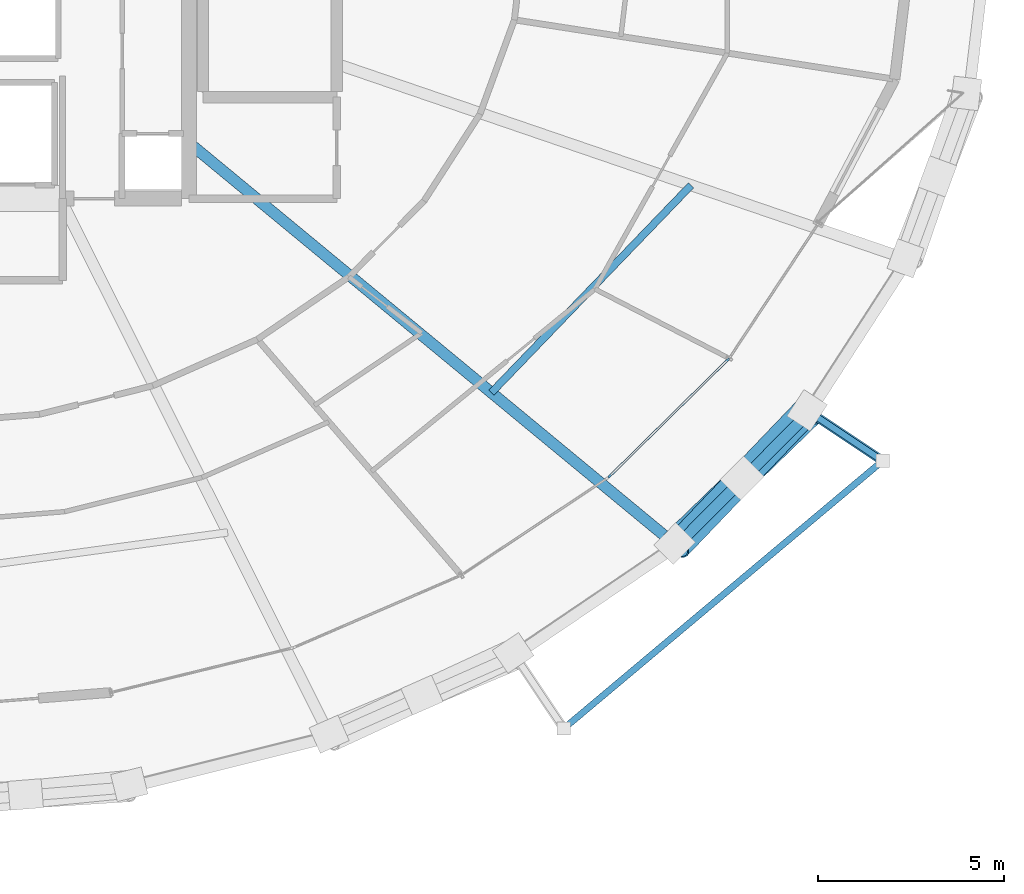
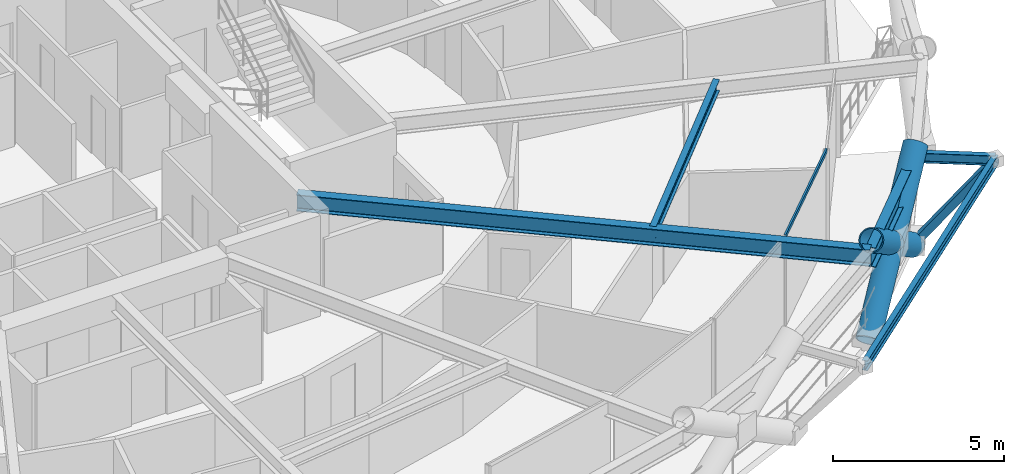
# One storey, part 9 of 21: 5 beams, 5 members, 1 element without a shape of its own.
"""IFC4 building model written with IfcOpenShell, lengths in metres."""

import ifcopenshell
import ifcopenshell.guid

model = None  # the IFC model being written
_history = None  # IfcOwnerHistory: only IFC2X3 demands one
_inside = {}  # id of a spatial element -> (the spatial element, [elements in it])
_under = {}  # id of a project, library or spatial element -> (it, [spatial elements below it])
_declared = {}  # id of a project -> (the project, [libraries it declares])
_typed = {}  # id of a type object -> (the type object, [elements of that type])
_made_of = {}  # id of a material, layer set ... -> (it, [elements and type objects made of it])


def new_model(schema):
    """Start an empty IFC model of exactly this schema.

    Asked for "IFC4X3", IfcOpenShell would pick the latest addendum, in which some entities
    have other attributes; the version numbers below select the first issue.
    IFC2X3 requires an IfcOwnerHistory on every rooted entity: one is made here for all.
    """
    global model, _history
    if schema == "IFC4X3":
        model = ifcopenshell.file(schema_version=(4, 3, 0, 0))
    else:
        model = ifcopenshell.file(schema=schema)
    _inside.clear()
    _under.clear()
    _declared.clear()
    _typed.clear()
    _made_of.clear()
    _history = None
    if model.schema == "IFC2X3":
        org = make("IfcOrganization", Name="unknown")
        user = make(
            "IfcPersonAndOrganization",
            ThePerson=make("IfcPerson", FamilyName="unknown"),
            TheOrganization=org,
        )
        app = make(
            "IfcApplication",
            ApplicationDeveloper=org,
            Version="unknown",
            ApplicationFullName="unknown",
            ApplicationIdentifier="unknown",
        )
        _history = make(
            "IfcOwnerHistory",
            OwningUser=user,
            OwningApplication=app,
            ChangeAction="ADDED",
            CreationDate=0,
        )
    return model


def make(cls, **values):
    """One entity of the class cls with the attributes given. An attribute that is None is left unset."""
    return model.create_entity(
        cls, **{name: value for name, value in values.items() if value is not None}
    )


def rooted(cls, **values):
    """An entity with a GlobalId (a new one), such as an element, a storey or a relation."""
    return make(cls, GlobalId=ifcopenshell.guid.new(), OwnerHistory=_history, **values)


def si_unit(unit_type, name, prefix=None):
    """IfcSIUnit, for example si_unit("LENGTHUNIT", "METRE", prefix="MILLI")."""
    return make("IfcSIUnit", UnitType=unit_type, Prefix=prefix, Name=name)


def assignment(units):
    """IfcUnitAssignment: the units of a project."""
    return None if units is None else make("IfcUnitAssignment", Units=units)


def point(xyz):
    """IfcCartesianPoint."""
    return None if xyz is None else make("IfcCartesianPoint", Coordinates=xyz)


def direction(xyz):
    """IfcDirection."""
    return None if xyz is None else make("IfcDirection", DirectionRatios=xyz)


def frame(location, z_axis=None, x_axis=None):
    """IfcAxis2Placement3D, a coordinate frame: its origin and axes. An axis left out is left unset."""
    return make(
        "IfcAxis2Placement3D",
        Location=point(location),
        Axis=direction(z_axis),
        RefDirection=direction(x_axis),
    )


def frame_2d(location, x_axis=None):
    """IfcAxis2Placement2D, a coordinate frame in the plane: its origin and x axis."""
    return make(
        "IfcAxis2Placement2D", Location=point(location), RefDirection=direction(x_axis)
    )


def origin():
    """The frame at (0, 0, 0) with its axes left unset."""
    return frame((0.0, 0.0, 0.0))


def origin_2d():
    """The frame at (0, 0) in the plane with its x axis left unset."""
    return frame_2d((0.0, 0.0))


def place(relative_to, where):
    """IfcLocalPlacement: puts the frame where relative to a parent placement (None: the world)."""
    return make(
        "IfcLocalPlacement", PlacementRelTo=relative_to, RelativePlacement=where
    )


def context(
    kind, dimensions, precision=None, world=None, true_north=None, identifier=None
):
    """IfcGeometricRepresentationContext, for example the 3D "Model" context."""
    return make(
        "IfcGeometricRepresentationContext",
        ContextIdentifier=identifier,
        ContextType=kind,
        CoordinateSpaceDimension=dimensions,
        Precision=precision,
        WorldCoordinateSystem=world,
        TrueNorth=true_north,
    )


def subcontext(parent, identifier, kind, view, scale=None):
    """IfcGeometricRepresentationSubContext, for example "Body" below "Model"."""
    return make(
        "IfcGeometricRepresentationSubContext",
        ContextIdentifier=identifier,
        ContextType=kind,
        ParentContext=parent,
        TargetScale=scale,
        TargetView=view,
    )


def project(units=None, contexts=None):
    """IfcProject with its units and contexts."""
    return rooted(
        "IfcProject",
        Name="project",
        RepresentationContexts=contexts,
        UnitsInContext=assignment(units),
    )


def spatial(cls, under=None, at=None, **own):
    """A site, building, storey or space (cls), placed at a placement, below another one or the project."""
    s = rooted(cls, ObjectPlacement=at, **own)
    if under is not None:
        _under.setdefault(under.id(), (under, []))[1].append(s)
    return s


def profile(cls, at=None, kind="AREA", **sizes):
    """A parametric profile (cls). Its sizes go by their IFC names, for example OverallWidth=200.0."""
    return make(cls, ProfileType=kind, Position=at, **sizes)


def hollow_rectangle(**sizes):
    """IfcRectangleHollowProfileDef."""
    return profile("IfcRectangleHollowProfileDef", **sizes)


def hollow_circle(**sizes):
    """IfcCircleHollowProfileDef."""
    return profile("IfcCircleHollowProfileDef", **sizes)


def i_section(**sizes):
    """IfcIShapeProfileDef."""
    return profile("IfcIShapeProfileDef", **sizes)


def extrude(swept, where, along, depth):
    """IfcExtrudedAreaSolid: the profile swept, set in the frame where, extruded along a direction by depth."""
    return make(
        "IfcExtrudedAreaSolid",
        SweptArea=swept,
        Position=where,
        ExtrudedDirection=direction(along),
        Depth=depth,
    )


def shape(context_of_items, identifier, shape_type, items):
    """IfcShapeRepresentation: the items that make up one representation, for example the "Body"."""
    return make(
        "IfcShapeRepresentation",
        ContextOfItems=context_of_items,
        RepresentationIdentifier=identifier,
        RepresentationType=shape_type,
        Items=items,
    )


def material(Name=None, Category=None):
    """IfcMaterial."""
    return make("IfcMaterial", Name=Name, Category=Category)


def layer(
    of_material, thickness, ventilated=None, Name=None, Category=None, Priority=None
):
    """IfcMaterialLayer: one layer of a wall or slab, of a material (None: an air gap)."""
    return make(
        "IfcMaterialLayer",
        Material=of_material,
        LayerThickness=thickness,
        IsVentilated=ventilated,
        Name=Name,
        Category=Category,
        Priority=Priority,
    )


def layer_set(layers, Name=None):
    """IfcMaterialLayerSet."""
    return make("IfcMaterialLayerSet", MaterialLayers=layers, LayerSetName=Name)


def material_profile(
    of_material, cross_section, Name=None, Category=None, Priority=None
):
    """IfcMaterialProfile: a cross section and its material."""
    return make(
        "IfcMaterialProfile",
        Name=Name,
        Material=of_material,
        Profile=cross_section,
        Priority=Priority,
        Category=Category,
    )


def profile_set(profiles, Name=None, composite=None):
    """IfcMaterialProfileSet."""
    return make(
        "IfcMaterialProfileSet",
        Name=Name,
        MaterialProfiles=profiles,
        CompositeProfile=composite,
    )


def made_of(thing, what):
    """Note that an element or type object is made of a material, layer set ...; save() writes the relation."""
    if what is not None:
        _made_of.setdefault(what.id(), (what, []))[1].append(thing)
    return thing


def type_object(cls, material=None, **own):
    """A type object (cls), such as IfcWallType, which elements share."""
    return made_of(rooted(cls, **own), material)


def element(
    cls,
    number,
    at=None,
    inside=None,
    cuts=None,
    type_object=None,
    material=None,
    context=None,
    identifier="Body",
    shape_type=None,
    held_by="IfcProductDefinitionShape",
    body=None,
    shapes=None,
    **own,
):
    """One element of the class cls, such as IfcWall. Its Tag is "e" and its number.

    at: its placement. inside: the storey or other place that contains it. cuts: it is an
    opening in that element (IfcRelVoidsElement). A single representation is given by context,
    identifier, shape_type and body (its items); several are given by shapes. held_by: the class
    of the entity that holds the representations. save() writes the other relations.
    """
    e = rooted(cls, Tag="e%d" % number, ObjectPlacement=at, **own)
    if body is not None:
        shapes = [shape(context, identifier, shape_type, body)]
    if shapes is not None:
        e.Representation = make(held_by, Representations=shapes)
    if inside is not None:
        _inside.setdefault(inside.id(), (inside, []))[1].append(e)
    if cuts is not None:
        rooted(
            "IfcRelVoidsElement", RelatingBuildingElement=cuts, RelatedOpeningElement=e
        )
    if type_object is not None:
        _typed.setdefault(type_object.id(), (type_object, []))[1].append(e)
    return made_of(e, material)


def aggregate(whole, parts):
    """IfcRelAggregates: a whole, such as a stair, and the parts it consists of."""
    return rooted("IfcRelAggregates", RelatingObject=whole, RelatedObjects=parts)


def save(model, path):
    """Write the relations noted so far, then the file.

    IfcRelAggregates (storeys below a building ...), IfcRelContainedInSpatialStructure (elements
    in a storey), IfcRelDefinesByType, IfcRelAssociatesMaterial and IfcRelDeclares: one each for
    every whole, place, type object, material and project.
    """
    for whole, parts in _under.values():
        aggregate(whole, parts)
    for where, things in _inside.values():
        rooted(
            "IfcRelContainedInSpatialStructure",
            RelatedElements=things,
            RelatingStructure=where,
        )
    for kind, things in _typed.values():
        rooted("IfcRelDefinesByType", RelatedObjects=things, RelatingType=kind)
    for what, things in _made_of.values():
        rooted("IfcRelAssociatesMaterial", RelatedObjects=things, RelatingMaterial=what)
    for by, libraries in _declared.values():
        rooted("IfcRelDeclares", RelatingContext=by, RelatedDefinitions=libraries)
    model.write(path)


model = new_model("IFC4")

# Units and contexts
model_context = context("Model", 3, precision=1e-05, world=origin(), true_north=direction((0.0, 1.0)))
body_context = subcontext(model_context, "Body", "Model", "MODEL_VIEW")
ifc_project = project(units=[si_unit("LENGTHUNIT", "METRE"), si_unit("AREAUNIT", "SQUARE_METRE"), si_unit("VOLUMEUNIT", "CUBIC_METRE"), si_unit("PLANEANGLEUNIT", "RADIAN"), si_unit("MASSUNIT", "GRAM", prefix="KILO")], contexts=[model_context])

# Site, building, storey
site_placement = place(None, origin())
site = spatial("IfcSite", under=ifc_project, at=site_placement, CompositionType="ELEMENT")
building_placement = place(site_placement, origin())
building = spatial("IfcBuilding", under=site, at=building_placement, Name="Veldorina Hangang Commons", CompositionType="ELEMENT")
storey_placement = place(building_placement, frame((0.0, 0.0, 59.199951171875)))
storey = spatial("IfcBuildingStorey", under=building, at=storey_placement, Name="L14", CompositionType="ELEMENT", Elevation=59.199951171875)

# Beams
ifc_material_1 = material(Name="Steel SM355-TMC", Category="steel")
ifc_material_profile_1 = material_profile(ifc_material_1, i_section(OverallWidth=0.175048828125, OverallDepth=0.35009765625, WebThickness=0.007080078125, FlangeThickness=0.010986328125, FilletRadius=0.012939453125, at=origin_2d()), Name="H-350x175x7x11")
ifc_profile_set_1 = profile_set([ifc_material_profile_1], Name="Steel SM355-TMC")
beam_type_1 = type_object("IfcBeamType", Name="BM-FG350", PredefinedType="BEAM", material=ifc_profile_set_1)
beam_1_placement = place(storey_placement, frame((55.92138671875, 10.7939453125, 3.1650390625), z_axis=(0.831474498247, -0.555562920618, 0.0), x_axis=(0.555562920618, 0.831474498247, 0.0)))
element("IfcBeam", 1, at=beam_1_placement, inside=storey, type_object=beam_type_1, Name="L15 tree balcony 2 bracket beam B", PredefinedType="BEAM", context=body_context, shape_type="SweptSolid", body=[
    extrude(i_section(OverallWidth=0.175048828125, OverallDepth=0.35009765625, WebThickness=0.007080078125, FlangeThickness=0.010986328125, FilletRadius=0.012939453125, at=origin_2d()), origin(), (0.0, 0.0, 1.0), 2.35009765625),
])
beam_2_placement = place(storey_placement, frame((49.289306640625, 2.281982421875, 3.1650390625), z_axis=(0.76597253019, 0.642873302443, 0.0), x_axis=(-0.642873302443, 0.76597253019, 0.0)))
element("IfcBeam", 2, at=beam_2_placement, inside=storey, type_object=beam_type_1, Name="L15 tree balcony 2 outer rim beam", PredefinedType="BEAM", context=body_context, shape_type="SweptSolid", body=[
    extrude(i_section(OverallWidth=0.175048828125, OverallDepth=0.35009765625, WebThickness=0.007080078125, FlangeThickness=0.010986328125, FilletRadius=0.012939453125, at=origin_2d()), origin(), (0.0, 0.0, 1.0), 11.20947265625),
])
ifc_material_2 = material(Name="Steel SM460-TMC", Category="steel")
ifc_material_profile_2 = material_profile(ifc_material_2, i_section(OverallWidth=0.300048828125, OverallDepth=0.587890625, WebThickness=0.011962890625, FlangeThickness=0.02001953125, FilletRadius=0.01806640625, at=origin_2d()), Name="H-588x300x12x20")
ifc_profile_set_2 = profile_set([ifc_material_profile_2], Name="Steel SM460-TMC")
beam_type_2 = type_object("IfcBeamType", Name="BM-FG588", PredefinedType="BEAM", material=ifc_profile_set_2)
beam_3_placement = place(storey_placement, frame((39.199951171875, 18.052001953125, 3.046142578125), z_axis=(0.770951653904, -0.636893670358, 0.0), x_axis=(0.636893670358, 0.770951653904, 0.0)))
element("IfcBeam", 3, at=beam_3_placement, inside=storey, type_object=beam_type_2, Name="L14 radial floor girder 15", PredefinedType="BEAM", context=body_context, shape_type="SweptSolid", body=[
    extrude(i_section(OverallWidth=0.300048828125, OverallDepth=0.587890625, WebThickness=0.011962890625, FlangeThickness=0.02001953125, FilletRadius=0.01806640625, at=origin_2d()), origin(), (0.0, 0.0, 1.0), 17.033203125),
])
ifc_material_profile_3 = material_profile(ifc_material_1, i_section(OverallWidth=0.199951171875, OverallDepth=0.39990234375, WebThickness=0.008056640625, FlangeThickness=0.012939453125, FilletRadius=0.012939453125, at=origin_2d()), Name="H-400x200x8x13")
ifc_profile_set_3 = profile_set([ifc_material_profile_3], Name="Steel SM355-TMC")
beam_type_3 = type_object("IfcBeamType", Name="BM-JST400", PredefinedType="JOIST", material=ifc_profile_set_3)
beam_4_placement = place(storey_placement, frame((47.341796875, 11.326171875, 3.14013671875), z_axis=(0.693595083278, 0.720365088308, 0.0), x_axis=(-0.720365088308, 0.693595083278, 0.0)))
element("IfcBeam", 4, at=beam_4_placement, inside=storey, type_object=beam_type_3, Name="L14 secondary floor joist 15", PredefinedType="JOIST", context=body_context, shape_type="SweptSolid", body=[
    extrude(i_section(OverallWidth=0.199951171875, OverallDepth=0.39990234375, WebThickness=0.008056640625, FlangeThickness=0.012939453125, FilletRadius=0.012939453125, at=origin_2d()), origin(), (0.0, 0.0, 1.0), 7.751953125),
])
ifc_material_profile_4 = material_profile(ifc_material_2, i_section(OverallWidth=0.300048828125, OverallDepth=0.699951171875, WebThickness=0.012939453125, FlangeThickness=0.02392578125, FilletRadius=0.02197265625, at=origin_2d()), Name="H-700x300x13x24")
ifc_profile_set_4 = profile_set([ifc_material_profile_4], Name="Steel SM460-TMC")
beam_type_4 = type_object("IfcBeamType", Name="BM-RB700", PredefinedType="BEAM", material=ifc_profile_set_4)
beam_5_placement = place(storey_placement, frame((52.331787109375, 7.20361328125, 2.989990234375), z_axis=(0.704769257214, 0.709436603289, 0.0), x_axis=(-0.709436603289, 0.704769257214, 0.0)))
element("IfcBeam", 5, at=beam_5_placement, inside=storey, type_object=beam_type_4, Name="L14 perimeter hoop ring beam 28", PredefinedType="BEAM", context=body_context, shape_type="SweptSolid", body=[
    extrude(i_section(OverallWidth=0.300048828125, OverallDepth=0.699951171875, WebThickness=0.012939453125, FlangeThickness=0.02392578125, FilletRadius=0.02197265625, at=origin_2d()), origin(), (0.0, 0.0, 1.0), 5.073974609375),
])

# Curtain wall, member
ifc_material_3 = material(Name="Glass Low-E Triple IGU", Category="glass")
ifc_layer = layer(ifc_material_3, 0.179931640625)
ifc_layer_set = layer_set([ifc_layer], Name="Glass Low-E Triple IGU")
curtain_wall_type = type_object("IfcCurtainWallType", Name="CW-SYS-Z1", PredefinedType="NOTDEFINED", material=ifc_layer_set)
curtain_wall_placement = place(storey_placement, origin())
curtain_wall = element("IfcCurtainWall", 6, at=curtain_wall_placement, inside=storey, type_object=curtain_wall_type, Name="L14 unitised curtain wall CW-L14-R2", PredefinedType="NOTDEFINED")
ifc_material_4 = material(Name="Aluminium Anodized AA6063-T6", Category="aluminium")
ifc_material_profile_5 = material_profile(ifc_material_4, hollow_rectangle(XDim=0.06005859375, YDim=0.139892578125, WallThickness=0.00341796875, at=origin_2d()), Name="ALU-RHS-140x60x3.5")
ifc_profile_set_5 = profile_set([ifc_material_profile_5], Name="Aluminium Anodized AA6063-T6")
member_type_1 = type_object("IfcMemberType", Name="CW-TRN-140", PredefinedType="USERDEFINED", material=ifc_profile_set_5)
member_1_placement = place(storey_placement, frame((50.492919921875, 9.042724609375, 3.260009765625), z_axis=(0.712194160698, 0.701982533591, 0.0), x_axis=(-0.701982533591, 0.712194160698, 0.0)))
member_1 = element("IfcMember", 7, at=member_1_placement, type_object=member_type_1, Name="CW-L14-R2 facet 4 transom 1", ObjectType="TRANSOM", PredefinedType="USERDEFINED", context=body_context, shape_type="SweptSolid", body=[
    extrude(hollow_rectangle(XDim=0.06005859375, YDim=0.139892578125, WallThickness=0.00341796875, at=origin_2d()), origin(), (0.0, 0.0, 1.0), 4.56640625),
])
aggregate(curtain_wall, [member_1])

# Members
ifc_material_profile_6 = material_profile(ifc_material_2, hollow_circle(Radius=0.375, WallThickness=0.035888671875, at=origin_2d()), Name="CHS-750x36")
ifc_profile_set_6 = profile_set([ifc_material_profile_6], Name="Steel SM460-TMC")
member_type_2 = type_object("IfcMemberType", Name="DG-CHS750", PredefinedType="BRACE", material=ifc_profile_set_6)
member_2_placement = place(storey_placement, frame((52.274658203125, 7.260986328125, 0.0), z_axis=(0.58589161731, 0.567613148161, 0.57839979841), x_axis=(-0.695814594266, 0.71822144942, 0.0)))
element("IfcMember", 8, at=member_2_placement, inside=storey, type_object=member_type_2, Name="L14 continuous perimeter diagrid brace 28", PredefinedType="BRACE", context=body_context, shape_type="SweptSolid", body=[
    extrude(hollow_circle(Radius=0.375, WallThickness=0.035888671875, at=origin_2d()), origin(), (0.0, 0.0, 1.0), 6.22412109375),
])
member_3_placement = place(storey_placement, frame((55.840576171875, 10.84814453125, 0.0), z_axis=(-0.563389654498, -0.588600770348, 0.5797768798), x_axis=(0.722408717033, -0.691466301098, 0.0)))
element("IfcMember", 9, at=member_3_placement, inside=storey, type_object=member_type_2, Name="L14 split perimeter diagrid lower brace 29", PredefinedType="BRACE", context=body_context, shape_type="SweptSolid", body=[
    extrude(hollow_circle(Radius=0.375, WallThickness=0.035888671875, at=origin_2d()), origin(), (0.0, 0.0, 1.0), 3.098876953125),
])
member_4_placement = place(storey_placement, frame((54.0947265625, 9.024169921875, 1.796630859375), z_axis=(-0.562965450258, -0.589022125217, 0.579761017852), x_axis=(0.722915845162, -0.690936090253, 0.0)))
element("IfcMember", 10, at=member_4_placement, inside=storey, type_object=member_type_2, Name="L14 split perimeter diagrid upper brace 29", PredefinedType="BRACE", context=body_context, shape_type="SweptSolid", body=[
    extrude(hollow_circle(Radius=0.375, WallThickness=0.035888671875, at=origin_2d()), origin(), (0.0, 0.0, 1.0), 3.110595703125),
])
ifc_material_profile_7 = material_profile(ifc_material_1, hollow_rectangle(XDim=0.25, YDim=0.25, WallThickness=0.011962890625, at=origin_2d()), Name="SHS-250x250x12")
ifc_profile_set_7 = profile_set([ifc_material_profile_7], Name="Steel SM355-TMC")
member_type_3 = type_object("IfcMemberType", Name="STR-SHS250", PredefinedType="STRUT", material=ifc_profile_set_7)
member_5_placement = place(storey_placement, frame((55.840576171875, 10.84814453125, 0.0), z_axis=(0.508607760537, -0.339885450053, 0.79107270637), x_axis=(0.555620647579, 0.83143592416, 0.0)))
element("IfcMember", 11, at=member_5_placement, inside=storey, type_object=member_type_3, Name="L15 tree balcony 2 raking knee strut B", PredefinedType="STRUT", context=body_context, shape_type="SweptSolid", body=[
    extrude(hollow_rectangle(XDim=0.25, YDim=0.25, WallThickness=0.011962890625, at=origin_2d()), origin(), (0.0, 0.0, 1.0), 4.0009765625),
])

save(model, "model.ifc")
